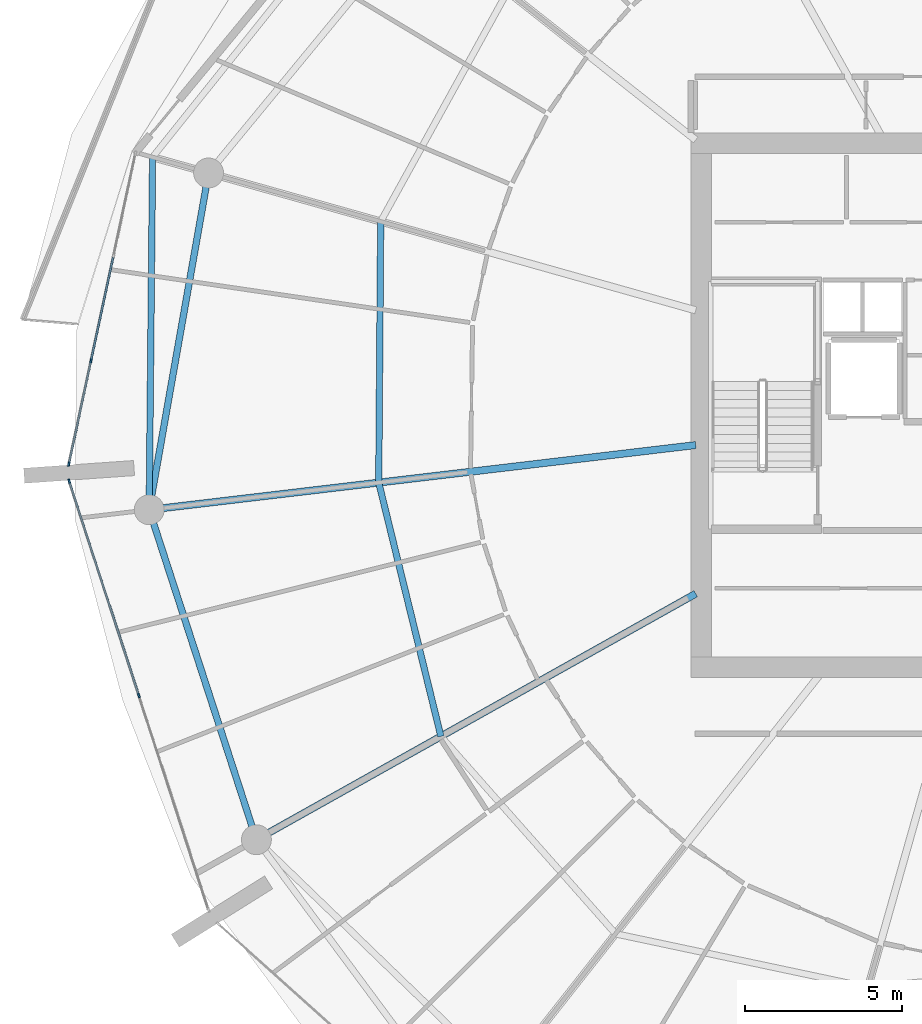
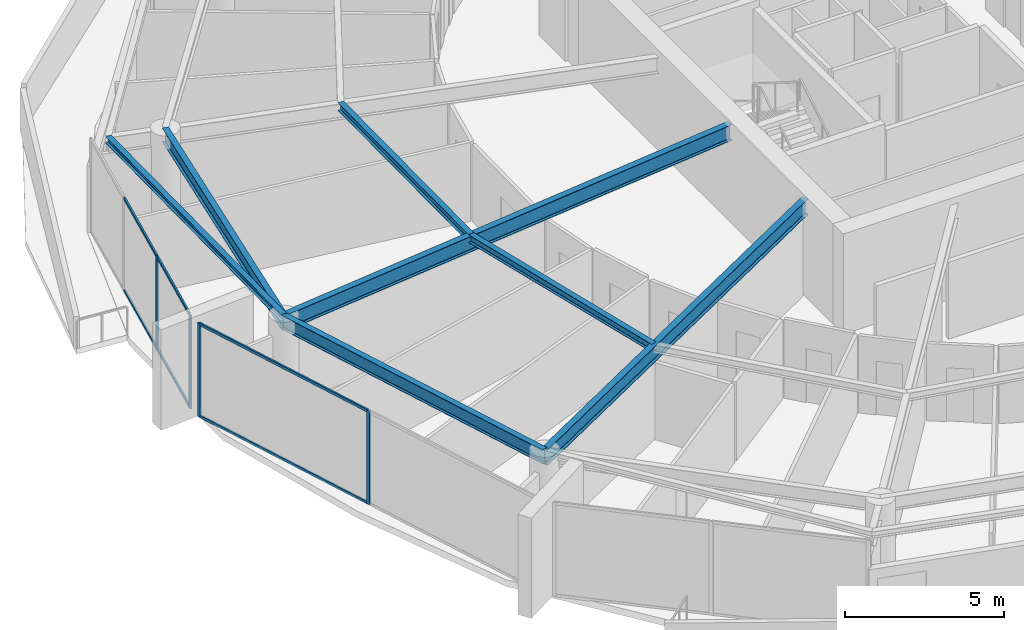
# One storey, part 8 of 31: 10 members, 7 beams, 2 elements without a shape of their own.
"""IFC4 building model written with IfcOpenShell, lengths in metres."""

import ifcopenshell
import ifcopenshell.guid

model = None  # the IFC model being written
_history = None  # IfcOwnerHistory: only IFC2X3 demands one
_inside = {}  # id of a spatial element -> (the spatial element, [elements in it])
_under = {}  # id of a project, library or spatial element -> (it, [spatial elements below it])
_declared = {}  # id of a project -> (the project, [libraries it declares])
_typed = {}  # id of a type object -> (the type object, [elements of that type])
_made_of = {}  # id of a material, layer set ... -> (it, [elements and type objects made of it])


def new_model(schema):
    """Start an empty IFC model of exactly this schema.

    Asked for "IFC4X3", IfcOpenShell would pick the latest addendum, in which some entities
    have other attributes; the version numbers below select the first issue.
    IFC2X3 requires an IfcOwnerHistory on every rooted entity: one is made here for all.
    """
    global model, _history
    if schema == "IFC4X3":
        model = ifcopenshell.file(schema_version=(4, 3, 0, 0))
    else:
        model = ifcopenshell.file(schema=schema)
    _inside.clear()
    _under.clear()
    _declared.clear()
    _typed.clear()
    _made_of.clear()
    _history = None
    if model.schema == "IFC2X3":
        org = make("IfcOrganization", Name="unknown")
        user = make(
            "IfcPersonAndOrganization",
            ThePerson=make("IfcPerson", FamilyName="unknown"),
            TheOrganization=org,
        )
        app = make(
            "IfcApplication",
            ApplicationDeveloper=org,
            Version="unknown",
            ApplicationFullName="unknown",
            ApplicationIdentifier="unknown",
        )
        _history = make(
            "IfcOwnerHistory",
            OwningUser=user,
            OwningApplication=app,
            ChangeAction="ADDED",
            CreationDate=0,
        )
    return model


def make(cls, **values):
    """One entity of the class cls with the attributes given. An attribute that is None is left unset."""
    return model.create_entity(
        cls, **{name: value for name, value in values.items() if value is not None}
    )


def rooted(cls, **values):
    """An entity with a GlobalId (a new one), such as an element, a storey or a relation."""
    return make(cls, GlobalId=ifcopenshell.guid.new(), OwnerHistory=_history, **values)


def si_unit(unit_type, name, prefix=None):
    """IfcSIUnit, for example si_unit("LENGTHUNIT", "METRE", prefix="MILLI")."""
    return make("IfcSIUnit", UnitType=unit_type, Prefix=prefix, Name=name)


def assignment(units):
    """IfcUnitAssignment: the units of a project."""
    return None if units is None else make("IfcUnitAssignment", Units=units)


def point(xyz):
    """IfcCartesianPoint."""
    return None if xyz is None else make("IfcCartesianPoint", Coordinates=xyz)


def direction(xyz):
    """IfcDirection."""
    return None if xyz is None else make("IfcDirection", DirectionRatios=xyz)


def frame(location, z_axis=None, x_axis=None):
    """IfcAxis2Placement3D, a coordinate frame: its origin and axes. An axis left out is left unset."""
    return make(
        "IfcAxis2Placement3D",
        Location=point(location),
        Axis=direction(z_axis),
        RefDirection=direction(x_axis),
    )


def frame_2d(location, x_axis=None):
    """IfcAxis2Placement2D, a coordinate frame in the plane: its origin and x axis."""
    return make(
        "IfcAxis2Placement2D", Location=point(location), RefDirection=direction(x_axis)
    )


def origin():
    """The frame at (0, 0, 0) with its axes left unset."""
    return frame((0.0, 0.0, 0.0))


def origin_2d():
    """The frame at (0, 0) in the plane with its x axis left unset."""
    return frame_2d((0.0, 0.0))


def place(relative_to, where):
    """IfcLocalPlacement: puts the frame where relative to a parent placement (None: the world)."""
    return make(
        "IfcLocalPlacement", PlacementRelTo=relative_to, RelativePlacement=where
    )


def context(
    kind, dimensions, precision=None, world=None, true_north=None, identifier=None
):
    """IfcGeometricRepresentationContext, for example the 3D "Model" context."""
    return make(
        "IfcGeometricRepresentationContext",
        ContextIdentifier=identifier,
        ContextType=kind,
        CoordinateSpaceDimension=dimensions,
        Precision=precision,
        WorldCoordinateSystem=world,
        TrueNorth=true_north,
    )


def subcontext(parent, identifier, kind, view, scale=None):
    """IfcGeometricRepresentationSubContext, for example "Body" below "Model"."""
    return make(
        "IfcGeometricRepresentationSubContext",
        ContextIdentifier=identifier,
        ContextType=kind,
        ParentContext=parent,
        TargetScale=scale,
        TargetView=view,
    )


def project(units=None, contexts=None):
    """IfcProject with its units and contexts."""
    return rooted(
        "IfcProject",
        Name="project",
        RepresentationContexts=contexts,
        UnitsInContext=assignment(units),
    )


def spatial(cls, under=None, at=None, **own):
    """A site, building, storey or space (cls), placed at a placement, below another one or the project."""
    s = rooted(cls, ObjectPlacement=at, **own)
    if under is not None:
        _under.setdefault(under.id(), (under, []))[1].append(s)
    return s


def profile(cls, at=None, kind="AREA", **sizes):
    """A parametric profile (cls). Its sizes go by their IFC names, for example OverallWidth=200.0."""
    return make(cls, ProfileType=kind, Position=at, **sizes)


def rectangle(**sizes):
    """IfcRectangleProfileDef."""
    return profile("IfcRectangleProfileDef", **sizes)


def i_section(**sizes):
    """IfcIShapeProfileDef."""
    return profile("IfcIShapeProfileDef", **sizes)


def extrude(swept, where, along, depth):
    """IfcExtrudedAreaSolid: the profile swept, set in the frame where, extruded along a direction by depth."""
    return make(
        "IfcExtrudedAreaSolid",
        SweptArea=swept,
        Position=where,
        ExtrudedDirection=direction(along),
        Depth=depth,
    )


def shape(context_of_items, identifier, shape_type, items):
    """IfcShapeRepresentation: the items that make up one representation, for example the "Body"."""
    return make(
        "IfcShapeRepresentation",
        ContextOfItems=context_of_items,
        RepresentationIdentifier=identifier,
        RepresentationType=shape_type,
        Items=items,
    )


def material(Name=None, Category=None):
    """IfcMaterial."""
    return make("IfcMaterial", Name=Name, Category=Category)


def layer(
    of_material, thickness, ventilated=None, Name=None, Category=None, Priority=None
):
    """IfcMaterialLayer: one layer of a wall or slab, of a material (None: an air gap)."""
    return make(
        "IfcMaterialLayer",
        Material=of_material,
        LayerThickness=thickness,
        IsVentilated=ventilated,
        Name=Name,
        Category=Category,
        Priority=Priority,
    )


def layer_set(layers, Name=None):
    """IfcMaterialLayerSet."""
    return make("IfcMaterialLayerSet", MaterialLayers=layers, LayerSetName=Name)


def material_profile(
    of_material, cross_section, Name=None, Category=None, Priority=None
):
    """IfcMaterialProfile: a cross section and its material."""
    return make(
        "IfcMaterialProfile",
        Name=Name,
        Material=of_material,
        Profile=cross_section,
        Priority=Priority,
        Category=Category,
    )


def profile_set(profiles, Name=None, composite=None):
    """IfcMaterialProfileSet."""
    return make(
        "IfcMaterialProfileSet",
        Name=Name,
        MaterialProfiles=profiles,
        CompositeProfile=composite,
    )


def made_of(thing, what):
    """Note that an element or type object is made of a material, layer set ...; save() writes the relation."""
    if what is not None:
        _made_of.setdefault(what.id(), (what, []))[1].append(thing)
    return thing


def type_object(cls, material=None, **own):
    """A type object (cls), such as IfcWallType, which elements share."""
    return made_of(rooted(cls, **own), material)


def element(
    cls,
    number,
    at=None,
    inside=None,
    cuts=None,
    type_object=None,
    material=None,
    context=None,
    identifier="Body",
    shape_type=None,
    held_by="IfcProductDefinitionShape",
    body=None,
    shapes=None,
    **own,
):
    """One element of the class cls, such as IfcWall. Its Tag is "e" and its number.

    at: its placement. inside: the storey or other place that contains it. cuts: it is an
    opening in that element (IfcRelVoidsElement). A single representation is given by context,
    identifier, shape_type and body (its items); several are given by shapes. held_by: the class
    of the entity that holds the representations. save() writes the other relations.
    """
    e = rooted(cls, Tag="e%d" % number, ObjectPlacement=at, **own)
    if body is not None:
        shapes = [shape(context, identifier, shape_type, body)]
    if shapes is not None:
        e.Representation = make(held_by, Representations=shapes)
    if inside is not None:
        _inside.setdefault(inside.id(), (inside, []))[1].append(e)
    if cuts is not None:
        rooted(
            "IfcRelVoidsElement", RelatingBuildingElement=cuts, RelatedOpeningElement=e
        )
    if type_object is not None:
        _typed.setdefault(type_object.id(), (type_object, []))[1].append(e)
    return made_of(e, material)


def aggregate(whole, parts):
    """IfcRelAggregates: a whole, such as a stair, and the parts it consists of."""
    return rooted("IfcRelAggregates", RelatingObject=whole, RelatedObjects=parts)


def save(model, path):
    """Write the relations noted so far, then the file.

    IfcRelAggregates (storeys below a building ...), IfcRelContainedInSpatialStructure (elements
    in a storey), IfcRelDefinesByType, IfcRelAssociatesMaterial and IfcRelDeclares: one each for
    every whole, place, type object, material and project.
    """
    for whole, parts in _under.values():
        aggregate(whole, parts)
    for where, things in _inside.values():
        rooted(
            "IfcRelContainedInSpatialStructure",
            RelatedElements=things,
            RelatingStructure=where,
        )
    for kind, things in _typed.values():
        rooted("IfcRelDefinesByType", RelatedObjects=things, RelatingType=kind)
    for what, things in _made_of.values():
        rooted("IfcRelAssociatesMaterial", RelatedObjects=things, RelatingMaterial=what)
    for by, libraries in _declared.values():
        rooted("IfcRelDeclares", RelatingContext=by, RelatedDefinitions=libraries)
    model.write(path)


model = new_model("IFC4")

# Units and contexts
model_context = context("Model", 3, precision=1e-05, world=origin(), true_north=direction((0.0, 1.0)))
body_context = subcontext(model_context, "Body", "Model", "MODEL_VIEW")
ifc_project = project(units=[si_unit("LENGTHUNIT", "METRE"), si_unit("AREAUNIT", "SQUARE_METRE"), si_unit("VOLUMEUNIT", "CUBIC_METRE"), si_unit("PLANEANGLEUNIT", "RADIAN"), si_unit("MASSUNIT", "GRAM", prefix="KILO")], contexts=[model_context])

# Site, building, storey
site_placement = place(None, origin())
site = spatial("IfcSite", under=ifc_project, at=site_placement, CompositionType="ELEMENT")
building_placement = place(site_placement, origin())
building = spatial("IfcBuilding", under=site, at=building_placement, Name="Kazma Halo Residences", CompositionType="ELEMENT")
storey_placement = place(building_placement, frame((0.0, 0.0, 240.550048828125)))
storey = spatial("IfcBuildingStorey", under=building, at=storey_placement, Name="L60", CompositionType="ELEMENT", Elevation=240.550048828125)

# Beams
ifc_material_1 = material(Name="Steel S355", Category="steel")
ifc_material_profile_1 = material_profile(ifc_material_1, i_section(OverallWidth=0.201904296875, OverallDepth=0.2470703125, WebThickness=0.00732421875, FlangeThickness=0.010986328125, FilletRadius=0.011962890625, at=origin_2d()), Name="W250x49.1")
ifc_profile_set_1 = profile_set([ifc_material_profile_1], Name="Steel S355")
beam_type_1 = type_object("IfcBeamType", Name="BM-BAL-CANT", PredefinedType="BEAM", material=ifc_profile_set_1)
beam_1_placement = place(storey_placement, frame((20.028564453125, 49.888916015625, 3.466552734375), z_axis=(-0.009645503464, -0.999953481049, 0.0), x_axis=(0.999953481049, -0.009645503464, 0.0)))
element("IfcBeam", 1, at=beam_1_placement, inside=storey, type_object=beam_type_1, Name="L60 wave-balcony tie beam 07", PredefinedType="BEAM", context=body_context, shape_type="SweptSolid", body=[
    extrude(i_section(OverallWidth=0.201904296875, OverallDepth=0.2470703125, WebThickness=0.00732421875, FlangeThickness=0.010986328125, FilletRadius=0.011962890625, at=origin_2d()), origin(), (0.0, 0.0, 1.0), 11.212890625),
])
ifc_material_profile_2 = material_profile(ifc_material_1, i_section(OverallWidth=0.22802734375, OverallDepth=0.60791015625, WebThickness=0.01123046875, FlangeThickness=0.017333984375, FilletRadius=0.01806640625, at=origin_2d()), Name="W610x113")
ifc_profile_set_2 = profile_set([ifc_material_profile_2], Name="Steel S355")
beam_type_2 = type_object("IfcBeamType", Name="BM-RAD-W610", PredefinedType="BEAM", material=ifc_profile_set_2)
beam_2_placement = place(storey_placement, frame((37.300048828125, 40.733642578125, 3.285888671875), z_axis=(-0.993067702517, -0.117543771495, 0.0), x_axis=(0.117543771495, -0.993067702517, 0.0)))
element("IfcBeam", 2, at=beam_2_placement, inside=storey, type_object=beam_type_2, Name="L60 radial floor beam 08", PredefinedType="BEAM", context=body_context, shape_type="SweptSolid", body=[
    extrude(i_section(OverallWidth=0.22802734375, OverallDepth=0.60791015625, WebThickness=0.01123046875, FlangeThickness=0.017333984375, FilletRadius=0.01806640625, at=origin_2d()), origin(), (0.0, 0.0, 1.0), 17.5009765625),
])
beam_3_placement = place(storey_placement, frame((37.300048828125, 36.0078125, 3.285888671875), z_axis=(-0.872498735757, -0.488616369049, 0.0), x_axis=(0.488616369049, -0.872498735757, 0.0)))
element("IfcBeam", 3, at=beam_3_placement, inside=storey, type_object=beam_type_2, Name="L60 radial floor beam 09", PredefinedType="BEAM", context=body_context, shape_type="SweptSolid", body=[
    extrude(i_section(OverallWidth=0.22802734375, OverallDepth=0.60791015625, WebThickness=0.01123046875, FlangeThickness=0.017333984375, FilletRadius=0.01806640625, at=origin_2d()), origin(), (0.0, 0.0, 1.0), 16.011962890625),
])
ifc_material_profile_3 = material_profile(ifc_material_1, i_section(OverallWidth=0.202880859375, OverallDepth=0.302978515625, WebThickness=0.007568359375, FlangeThickness=0.01318359375, FilletRadius=0.013916015625, at=origin_2d()), Name="W310x60")
ifc_profile_set_3 = profile_set([ifc_material_profile_3], Name="Steel S355")
beam_type_3 = type_object("IfcBeamType", Name="BM-SEC-W310A", PredefinedType="JOIST", material=ifc_profile_set_3)
beam_4_placement = place(storey_placement, frame((27.282470703125, 47.843017578125, 3.4384765625), z_axis=(-0.007527648623, -0.999971666852, 0.0), x_axis=(0.999971666852, -0.007527648623, 0.0)))
element("IfcBeam", 4, at=beam_4_placement, inside=storey, type_object=beam_type_3, Name="L60 circumferential floor joist 07", PredefinedType="JOIST", context=body_context, shape_type="SweptSolid", body=[
    extrude(i_section(OverallWidth=0.202880859375, OverallDepth=0.302978515625, WebThickness=0.007568359375, FlangeThickness=0.01318359375, FilletRadius=0.013916015625, at=origin_2d()), origin(), (0.0, 0.0, 1.0), 8.302734375),
])
beam_5_placement = place(storey_placement, frame((27.219970703125, 39.54052734375, 3.4384765625), z_axis=(0.237963200266, -0.971274171035, 0.0), x_axis=(0.971274171035, 0.237963200266, 0.0)))
element("IfcBeam", 5, at=beam_5_placement, inside=storey, type_object=beam_type_3, Name="L60 circumferential floor joist 08", PredefinedType="JOIST", context=body_context, shape_type="SweptSolid", body=[
    extrude(i_section(OverallWidth=0.202880859375, OverallDepth=0.302978515625, WebThickness=0.007568359375, FlangeThickness=0.01318359375, FilletRadius=0.013916015625, at=origin_2d()), origin(), (0.0, 0.0, 1.0), 8.309326171875),
])
ifc_material_profile_4 = material_profile(ifc_material_1, i_section(OverallWidth=0.208984375, OverallDepth=0.532958984375, WebThickness=0.01025390625, FlangeThickness=0.015625, FilletRadius=0.01611328125, at=origin_2d()), Name="W530x92")
ifc_profile_set_4 = profile_set([ifc_material_profile_4], Name="Steel S355")
beam_type_4 = type_object("IfcBeamType", Name="BM-SPN-W530", PredefinedType="BEAM", material=ifc_profile_set_4)
beam_6_placement = place(storey_placement, frame((21.80908203125, 49.38671875, 3.323486328125), z_axis=(-0.173663672311, -0.984805020763, 0.0), x_axis=(0.984805020763, -0.173663672311, 0.0)))
element("IfcBeam", 6, at=beam_6_placement, inside=storey, type_object=beam_type_4, Name="L60 perimeter ring beam 07", PredefinedType="BEAM", context=body_context, shape_type="SweptSolid", body=[
    extrude(i_section(OverallWidth=0.208984375, OverallDepth=0.532958984375, WebThickness=0.01025390625, FlangeThickness=0.015625, FilletRadius=0.01611328125, at=origin_2d()), origin(), (0.0, 0.0, 1.0), 10.87548828125),
])
beam_7_placement = place(storey_placement, frame((19.92041015625, 38.676513671875, 3.323486328125), z_axis=(0.309015517474, -0.951056996168, 0.0), x_axis=(0.951056996168, 0.309015517474, 0.0)))
element("IfcBeam", 7, at=beam_7_placement, inside=storey, type_object=beam_type_4, Name="L60 perimeter ring beam 08", PredefinedType="BEAM", context=body_context, shape_type="SweptSolid", body=[
    extrude(i_section(OverallWidth=0.208984375, OverallDepth=0.532958984375, WebThickness=0.01025390625, FlangeThickness=0.015625, FilletRadius=0.01611328125, at=origin_2d()), origin(), (0.0, 0.0, 1.0), 11.032470703125),
])

# Curtain wall, members
ifc_material_2 = material(Name="Aluminium AW-6063 T6 and Triple-Silver Low-E Glass", Category="aluminium")
ifc_layer = layer(ifc_material_2, 0.139892578125)
ifc_layer_set = layer_set([ifc_layer], Name="Aluminium AW-6063 T6 and Triple-Silver Low-E Glass")
curtain_wall_type = type_object("IfcCurtainWallType", Name="CW-SYS-5", PredefinedType="NOTDEFINED", material=ifc_layer_set)
curtain_wall_1_placement = place(storey_placement, origin())
curtain_wall_1 = element("IfcCurtainWall", 8, at=curtain_wall_1_placement, inside=storey, type_object=curtain_wall_type, Name="L60 unitised curtain wall B07", PredefinedType="NOTDEFINED")
ifc_material_3 = material(Name="Aluminium AW-6063 T6", Category="aluminium")
ifc_material_profile_5 = material_profile(ifc_material_3, rectangle(XDim=0.06005859375, YDim=0.139892578125, at=origin_2d()), Name="CWM-60x140")
ifc_profile_set_5 = profile_set([ifc_material_profile_5], Name="Aluminium AW-6063 T6")
member_type_1 = type_object("IfcMemberType", Name="CW-SYS-5-MUL", PredefinedType="MULLION", material=ifc_profile_set_5)
member_1_placement = place(storey_placement, frame((18.0703125, 43.412841796875, 0.0), z_axis=(0.0, 0.0, 1.0), x_axis=(0.97777491373, -0.209657382603, 0.0)))
member_1 = element("IfcMember", 9, at=member_1_placement, type_object=member_type_1, Name="CWS-5 mullion 3", PredefinedType="MULLION", context=body_context, shape_type="SweptSolid", body=[
    extrude(rectangle(XDim=0.06005859375, YDim=0.139892578125, at=origin_2d()), origin(), (0.0, 0.0, 1.0), 3.58984375),
])
member_2_placement = place(storey_placement, frame((17.3662109375, 40.12841796875, 0.0), z_axis=(0.0, 0.0, 1.0), x_axis=(0.97777491373, -0.209657382603, 0.0)))
member_2 = element("IfcMember", 10, at=member_2_placement, type_object=member_type_1, Name="CWS-5 mullion 4", PredefinedType="MULLION", context=body_context, shape_type="SweptSolid", body=[
    extrude(rectangle(XDim=0.06005859375, YDim=0.139892578125, at=origin_2d()), origin(), (0.0, 0.0, 1.0), 3.58984375),
])

curtain_wall_2_placement = place(storey_placement, origin())
curtain_wall_2 = element("IfcCurtainWall", 11, at=curtain_wall_2_placement, inside=storey, type_object=curtain_wall_type, Name="L60 unitised curtain wall B08", PredefinedType="NOTDEFINED")
member_3_placement = place(storey_placement, frame((17.377197265625, 39.587646484375, 0.0), z_axis=(0.0, 0.0, 1.0), x_axis=(0.951058464359, 0.309010998786, 0.0)))
member_3 = element("IfcMember", 12, at=member_3_placement, type_object=member_type_1, Name="CWS-5 mullion 1", PredefinedType="MULLION", context=body_context, shape_type="SweptSolid", body=[
    extrude(rectangle(XDim=0.06005859375, YDim=0.139892578125, at=origin_2d()), origin(), (0.0, 0.0, 1.0), 3.58984375),
])
member_4_placement = place(storey_placement, frame((19.59228515625, 32.769775390625, 0.0), z_axis=(0.0, 0.0, 1.0), x_axis=(0.951058464359, 0.309010998786, 0.0)))
member_4 = element("IfcMember", 13, at=member_4_placement, type_object=member_type_1, Name="CWS-5 mullion 2", PredefinedType="MULLION", context=body_context, shape_type="SweptSolid", body=[
    extrude(rectangle(XDim=0.06005859375, YDim=0.139892578125, at=origin_2d()), origin(), (0.0, 0.0, 1.0), 3.58984375),
])

# Member
ifc_material_profile_6 = material_profile(ifc_material_3, rectangle(XDim=0.06005859375, YDim=0.10498046875, at=origin_2d()), Name="CWT-60x105")
ifc_profile_set_6 = profile_set([ifc_material_profile_6], Name="Aluminium AW-6063 T6")
member_type_2 = type_object("IfcMemberType", Name="CW-SYS-5-TRN", PredefinedType="USERDEFINED", material=ifc_profile_set_6)
member_5_placement = place(storey_placement, frame((18.774658203125, 46.697265625, 0.030029296875), z_axis=(-0.209664309019, -0.977773428522, 0.0), x_axis=(0.977773428522, -0.209664309019, 0.0)))
member_5 = element("IfcMember", 14, at=member_5_placement, type_object=member_type_2, Name="CWS-5 transom 2.1", ObjectType="TRANSOM", PredefinedType="USERDEFINED", context=body_context, shape_type="SweptSolid", body=[
    extrude(rectangle(XDim=0.06005859375, YDim=0.10498046875, at=origin_2d()), origin(), (0.0, 0.0, 1.0), 3.3291015625),
])

member_6_placement = place(storey_placement, frame((18.774658203125, 46.697265625, 3.56005859375), z_axis=(-0.209664309019, -0.977773428522, 0.0), x_axis=(0.977773428522, -0.209664309019, 0.0)))
member_6 = element("IfcMember", 15, at=member_6_placement, type_object=member_type_2, Name="CWS-5 transom 2.2", ObjectType="TRANSOM", PredefinedType="USERDEFINED", context=body_context, shape_type="SweptSolid", body=[
    extrude(rectangle(XDim=0.06005859375, YDim=0.10498046875, at=origin_2d()), origin(), (0.0, 0.0, 1.0), 3.3291015625),
])

member_7_placement = place(storey_placement, frame((18.064208984375, 43.383544921875, 0.030029296875), z_axis=(-0.209645323239, -0.977777499457, 0.0), x_axis=(0.977777499457, -0.209645323239, 0.0)))
member_7 = element("IfcMember", 16, at=member_7_placement, type_object=member_type_2, Name="CWS-5 transom 3.1", ObjectType="TRANSOM", PredefinedType="USERDEFINED", context=body_context, shape_type="SweptSolid", body=[
    extrude(rectangle(XDim=0.06005859375, YDim=0.10498046875, at=origin_2d()), origin(), (0.0, 0.0, 1.0), 3.299072265625),
])

member_8_placement = place(storey_placement, frame((18.064208984375, 43.383544921875, 3.56005859375), z_axis=(-0.209645323239, -0.977777499457, 0.0), x_axis=(0.977777499457, -0.209645323239, 0.0)))
member_8 = element("IfcMember", 17, at=member_8_placement, type_object=member_type_2, Name="CWS-5 transom 3.2", ObjectType="TRANSOM", PredefinedType="USERDEFINED", context=body_context, shape_type="SweptSolid", body=[
    extrude(rectangle(XDim=0.06005859375, YDim=0.10498046875, at=origin_2d()), origin(), (0.0, 0.0, 1.0), 3.299072265625),
])

aggregate(curtain_wall_1, [member_1, member_2, member_5, member_6, member_7, member_8])

member_9_placement = place(storey_placement, frame((17.386474609375, 39.55908203125, 0.030029296875), z_axis=(0.308995987448, -0.951063341603, 0.0), x_axis=(0.951063341603, 0.308995987448, 0.0)))
member_9 = element("IfcMember", 18, at=member_9_placement, type_object=member_type_2, Name="CWS-5 transom 1.1", ObjectType="TRANSOM", PredefinedType="USERDEFINED", context=body_context, shape_type="SweptSolid", body=[
    extrude(rectangle(XDim=0.06005859375, YDim=0.10498046875, at=origin_2d()), origin(), (0.0, 0.0, 1.0), 7.108642578125),
])

member_10_placement = place(storey_placement, frame((17.386474609375, 39.55908203125, 3.56005859375), z_axis=(0.308995987448, -0.951063341603, 0.0), x_axis=(0.951063341603, 0.308995987448, 0.0)))
member_10 = element("IfcMember", 19, at=member_10_placement, type_object=member_type_2, Name="CWS-5 transom 1.2", ObjectType="TRANSOM", PredefinedType="USERDEFINED", context=body_context, shape_type="SweptSolid", body=[
    extrude(rectangle(XDim=0.06005859375, YDim=0.10498046875, at=origin_2d()), origin(), (0.0, 0.0, 1.0), 7.108642578125),
])

aggregate(curtain_wall_2, [member_3, member_4, member_9, member_10])

save(model, "model.ifc")
